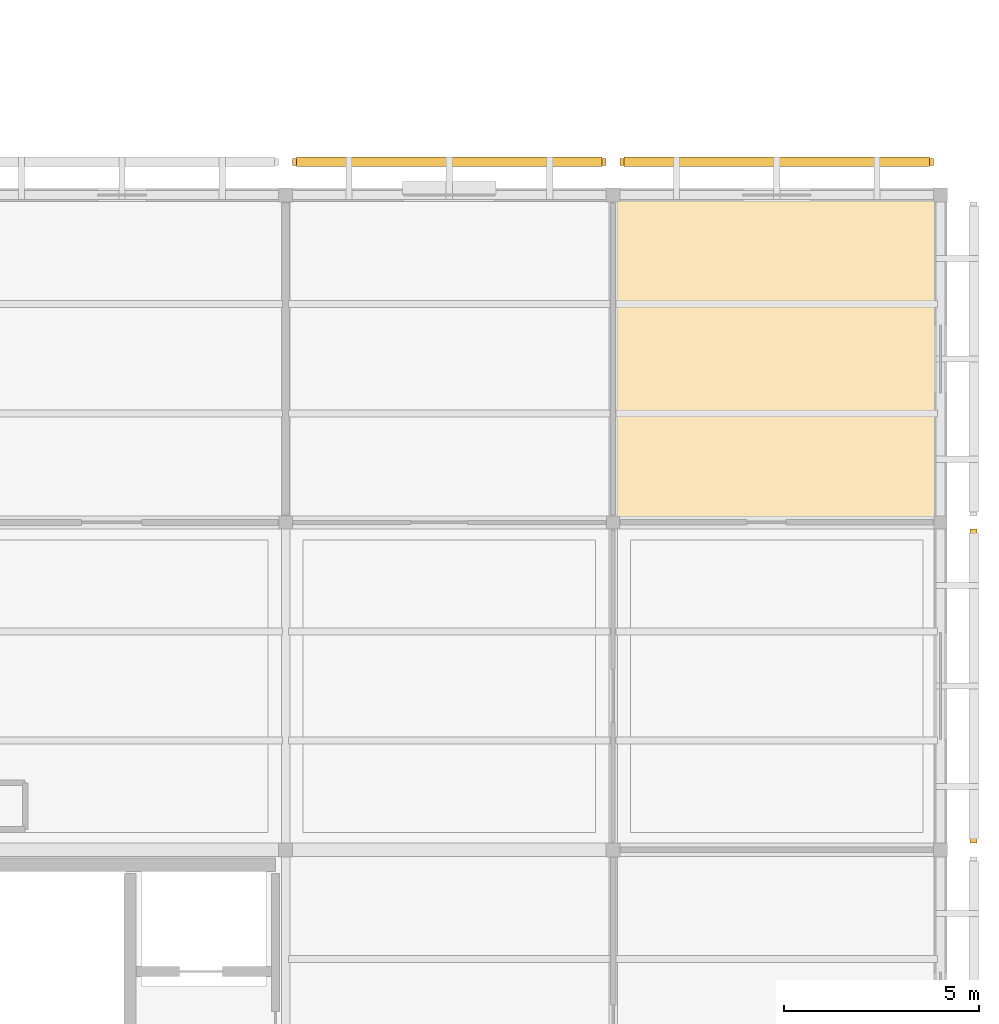
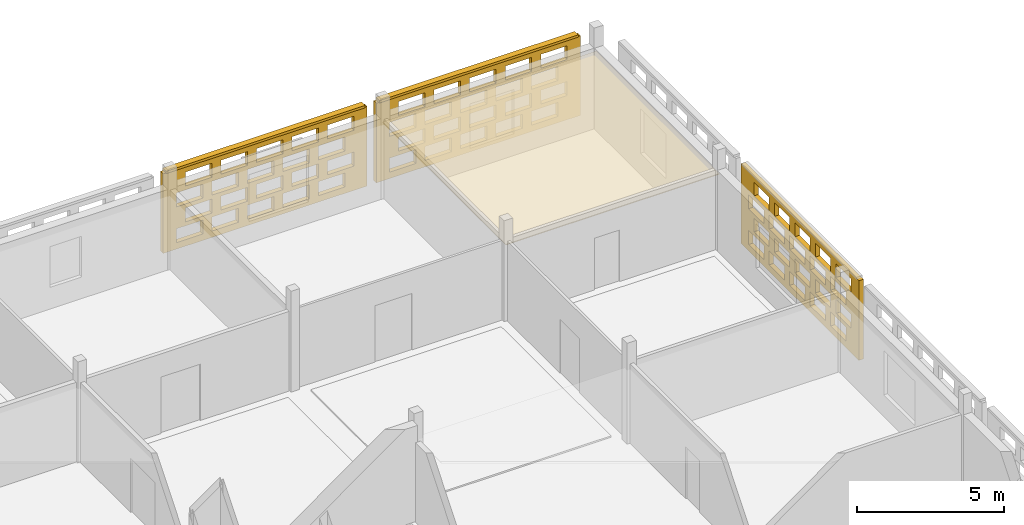
# One storey, part 102 of 103: 4 coverings, 2 shading devices, 60 openings.
"""IFC4 building model written with IfcOpenShell, lengths in metres."""

from ifc_helpers import new_model, si_unit, direction, frame, frame_2d, origin, origin_2d, place, context, subcontext, project, spatial, rectangle, extrude, material, layer, layer_set, type_object, element, save


model = new_model("IFC4")

# Units and contexts
model_context = context("Model", 3, precision=1e-05, world=origin(), true_north=direction((0.0, 1.0)))
body_context = subcontext(model_context, "Body", "Model", "MODEL_VIEW")
ifc_project = project(units=[si_unit("LENGTHUNIT", "METRE"), si_unit("AREAUNIT", "SQUARE_METRE"), si_unit("VOLUMEUNIT", "CUBIC_METRE"), si_unit("PLANEANGLEUNIT", "RADIAN"), si_unit("MASSUNIT", "GRAM", prefix="KILO")], contexts=[model_context])

# Site, building, storey
site_placement = place(None, origin())
site = spatial("IfcSite", under=ifc_project, at=site_placement, CompositionType="ELEMENT")
building_placement = place(site_placement, origin())
building = spatial("IfcBuilding", under=site, at=building_placement, Name="Varnapada Polytechnic", CompositionType="ELEMENT")
storey_placement = place(building_placement, frame((0.0, 0.0, 18.0)))
storey = spatial("IfcBuildingStorey", under=building, at=storey_placement, Name="L04", CompositionType="ELEMENT", Elevation=18.0)

# Covering
ifc_material_1 = material(Name="Cleanroom Laboratory Metal Pan Ceiling")
ifc_layer_1 = layer(ifc_material_1, 0.034912109375)
ifc_layer_set_1 = layer_set([ifc_layer_1], Name="Cleanroom Laboratory Metal Pan Ceiling")
covering_type_1 = type_object("IfcCoveringType", Name="Suspended Ceiling CLG-06", PredefinedType="CEILING", material=ifc_layer_set_1)
covering_1_placement = place(storey_placement, frame((172.199951171875, 113.39990234375, 3.03271484375), z_axis=(0.0, 0.0, 1.0), x_axis=(1.0, 0.0, 0.0)))
element("IfcCovering", 1, at=covering_1_placement, inside=storey, type_object=covering_type_1, Name="L04 suspended acoustic ceiling (21,14)", PredefinedType="CEILING", context=body_context, shape_type="SweptSolid", body=[
    extrude(rectangle(XDim=8.419921875, YDim=8.419921875, at=origin_2d()), origin(), (0.0, 0.0, 1.0), 0.034912109375),
])

# Covering, openings
ifc_material_2 = material(Name="Earth-toned architectural terracotta screen block", Category="masonry")
ifc_layer_2 = layer(ifc_material_2, 0.1201171875)
ifc_layer_set_2 = layer_set([ifc_layer_2], Name="Earth-toned architectural terracotta screen block")
covering_type_2 = type_object("IfcCoveringType", Name="Terracotta Screen Cladding CLD-01", PredefinedType="CLADDING", material=ifc_layer_set_2)
covering_2_placement = place(storey_placement, frame((159.780029296875, 118.449951171875, 0.0), z_axis=(0.0, 0.0, 1.0), x_axis=(1.0, 0.0, 0.0)))
covering_2 = element("IfcCovering", 2, at=covering_2_placement, inside=storey, type_object=covering_type_2, Name="L04 perforated terracotta block screen (52)", PredefinedType="CLADDING", context=body_context, shape_type="SweptSolid", body=[
    extrude(rectangle(XDim=8.0400390625, YDim=0.179931640625, at=frame_2d((4.02001953125, 0.0))), origin(), (0.0, 0.0, 1.0), 3.320068359375),
])
opening_1_placement = place(covering_2_placement, frame((0.52001953125, 0.0, 0.265625)))
element("IfcOpeningElement", 3, at=opening_1_placement, cuts=covering_2, Name="Screen perforation TBS-L04-051.1", PredefinedType="OPENING", context=body_context, shape_type="SweptSolid", body=[
    extrude(rectangle(XDim=1.0400390625, YDim=0.5810546875, at=frame_2d((0.52001953125, 0.29052734375))), frame((0.0, 0.099853515625, 0.0), z_axis=(0.0, -1.0, 0.0), x_axis=(1.0, 0.0, 0.0)), (0.0, 0.0, 1.0), 0.199951171875),
])
opening_2_placement = place(covering_2_placement, frame((1.919921875, 0.0, 0.265625)))
element("IfcOpeningElement", 4, at=opening_2_placement, cuts=covering_2, Name="Screen perforation TBS-L04-051.2", PredefinedType="OPENING", context=body_context, shape_type="SweptSolid", body=[
    extrude(rectangle(XDim=1.0400390625, YDim=0.5810546875, at=frame_2d((0.52001953125, 0.29052734375))), frame((0.0, 0.099853515625, 0.0), z_axis=(0.0, -1.0, 0.0), x_axis=(1.0, 0.0, 0.0)), (0.0, 0.0, 1.0), 0.199951171875),
])
opening_3_placement = place(covering_2_placement, frame((3.320068359375, 0.0, 0.265625)))
element("IfcOpeningElement", 5, at=opening_3_placement, cuts=covering_2, Name="Screen perforation TBS-L04-051.3", PredefinedType="OPENING", context=body_context, shape_type="SweptSolid", body=[
    extrude(rectangle(XDim=1.0400390625, YDim=0.5810546875, at=frame_2d((0.52001953125, 0.29052734375))), frame((0.0, 0.099853515625, 0.0), z_axis=(0.0, -1.0, 0.0), x_axis=(1.0, 0.0, 0.0)), (0.0, 0.0, 1.0), 0.199951171875),
])
opening_4_placement = place(covering_2_placement, frame((4.719970703125, 0.0, 0.265625)))
element("IfcOpeningElement", 6, at=opening_4_placement, cuts=covering_2, Name="Screen perforation TBS-L04-051.4", PredefinedType="OPENING", context=body_context, shape_type="SweptSolid", body=[
    extrude(rectangle(XDim=1.0400390625, YDim=0.5810546875, at=frame_2d((0.52001953125, 0.29052734375))), frame((0.0, 0.099853515625, 0.0), z_axis=(0.0, -1.0, 0.0), x_axis=(1.0, 0.0, 0.0)), (0.0, 0.0, 1.0), 0.199951171875),
])
opening_5_placement = place(covering_2_placement, frame((6.1201171875, 0.0, 0.265625)))
element("IfcOpeningElement", 7, at=opening_5_placement, cuts=covering_2, Name="Screen perforation TBS-L04-051.5", PredefinedType="OPENING", context=body_context, shape_type="SweptSolid", body=[
    extrude(rectangle(XDim=1.0400390625, YDim=0.5810546875, at=frame_2d((0.52001953125, 0.29052734375))), frame((0.0, 0.099853515625, 0.0), z_axis=(0.0, -1.0, 0.0), x_axis=(1.0, 0.0, 0.0)), (0.0, 0.0, 1.0), 0.199951171875),
])
opening_6_placement = place(covering_2_placement, frame((0.8798828125, 0.0, 1.0126953125)))
element("IfcOpeningElement", 8, at=opening_6_placement, cuts=covering_2, Name="Screen perforation TBS-L04-051.6", PredefinedType="OPENING", context=body_context, shape_type="SweptSolid", body=[
    extrude(rectangle(XDim=1.0400390625, YDim=0.5810546875, at=frame_2d((0.52001953125, 0.29052734375))), frame((0.0, 0.099853515625, 0.0), z_axis=(0.0, -1.0, 0.0), x_axis=(1.0, 0.0, 0.0)), (0.0, 0.0, 1.0), 0.199951171875),
])
opening_7_placement = place(covering_2_placement, frame((2.280029296875, 0.0, 1.0126953125)))
element("IfcOpeningElement", 9, at=opening_7_placement, cuts=covering_2, Name="Screen perforation TBS-L04-051.7", PredefinedType="OPENING", context=body_context, shape_type="SweptSolid", body=[
    extrude(rectangle(XDim=1.0400390625, YDim=0.5810546875, at=frame_2d((0.52001953125, 0.29052734375))), frame((0.0, 0.099853515625, 0.0), z_axis=(0.0, -1.0, 0.0), x_axis=(1.0, 0.0, 0.0)), (0.0, 0.0, 1.0), 0.199951171875),
])
opening_8_placement = place(covering_2_placement, frame((3.679931640625, 0.0, 1.0126953125)))
element("IfcOpeningElement", 10, at=opening_8_placement, cuts=covering_2, Name="Screen perforation TBS-L04-051.8", PredefinedType="OPENING", context=body_context, shape_type="SweptSolid", body=[
    extrude(rectangle(XDim=1.0400390625, YDim=0.5810546875, at=frame_2d((0.52001953125, 0.29052734375))), frame((0.0, 0.099853515625, 0.0), z_axis=(0.0, -1.0, 0.0), x_axis=(1.0, 0.0, 0.0)), (0.0, 0.0, 1.0), 0.199951171875),
])
opening_9_placement = place(covering_2_placement, frame((5.080078125, 0.0, 1.0126953125)))
element("IfcOpeningElement", 11, at=opening_9_placement, cuts=covering_2, Name="Screen perforation TBS-L04-051.9", PredefinedType="OPENING", context=body_context, shape_type="SweptSolid", body=[
    extrude(rectangle(XDim=1.0400390625, YDim=0.5810546875, at=frame_2d((0.52001953125, 0.29052734375))), frame((0.0, 0.099853515625, 0.0), z_axis=(0.0, -1.0, 0.0), x_axis=(1.0, 0.0, 0.0)), (0.0, 0.0, 1.0), 0.199951171875),
])
opening_10_placement = place(covering_2_placement, frame((6.47998046875, 0.0, 1.0126953125)))
element("IfcOpeningElement", 12, at=opening_10_placement, cuts=covering_2, Name="Screen perforation TBS-L04-051.10", PredefinedType="OPENING", context=body_context, shape_type="SweptSolid", body=[
    extrude(rectangle(XDim=1.0400390625, YDim=0.5810546875, at=frame_2d((0.52001953125, 0.29052734375))), frame((0.0, 0.099853515625, 0.0), z_axis=(0.0, -1.0, 0.0), x_axis=(1.0, 0.0, 0.0)), (0.0, 0.0, 1.0), 0.199951171875),
])
opening_11_placement = place(covering_2_placement, frame((0.52001953125, 0.0, 1.759521484375)))
element("IfcOpeningElement", 13, at=opening_11_placement, cuts=covering_2, Name="Screen perforation TBS-L04-051.11", PredefinedType="OPENING", context=body_context, shape_type="SweptSolid", body=[
    extrude(rectangle(XDim=1.0400390625, YDim=0.5810546875, at=frame_2d((0.52001953125, 0.29052734375))), frame((0.0, 0.099853515625, 0.0), z_axis=(0.0, -1.0, 0.0), x_axis=(1.0, 0.0, 0.0)), (0.0, 0.0, 1.0), 0.199951171875),
])
opening_12_placement = place(covering_2_placement, frame((1.919921875, 0.0, 1.759521484375)))
element("IfcOpeningElement", 14, at=opening_12_placement, cuts=covering_2, Name="Screen perforation TBS-L04-051.12", PredefinedType="OPENING", context=body_context, shape_type="SweptSolid", body=[
    extrude(rectangle(XDim=1.0400390625, YDim=0.5810546875, at=frame_2d((0.52001953125, 0.29052734375))), frame((0.0, 0.099853515625, 0.0), z_axis=(0.0, -1.0, 0.0), x_axis=(1.0, 0.0, 0.0)), (0.0, 0.0, 1.0), 0.199951171875),
])
opening_13_placement = place(covering_2_placement, frame((3.320068359375, 0.0, 1.759521484375)))
element("IfcOpeningElement", 15, at=opening_13_placement, cuts=covering_2, Name="Screen perforation TBS-L04-051.13", PredefinedType="OPENING", context=body_context, shape_type="SweptSolid", body=[
    extrude(rectangle(XDim=1.0400390625, YDim=0.5810546875, at=frame_2d((0.52001953125, 0.29052734375))), frame((0.0, 0.099853515625, 0.0), z_axis=(0.0, -1.0, 0.0), x_axis=(1.0, 0.0, 0.0)), (0.0, 0.0, 1.0), 0.199951171875),
])
opening_14_placement = place(covering_2_placement, frame((4.719970703125, 0.0, 1.759521484375)))
element("IfcOpeningElement", 16, at=opening_14_placement, cuts=covering_2, Name="Screen perforation TBS-L04-051.14", PredefinedType="OPENING", context=body_context, shape_type="SweptSolid", body=[
    extrude(rectangle(XDim=1.0400390625, YDim=0.5810546875, at=frame_2d((0.52001953125, 0.29052734375))), frame((0.0, 0.099853515625, 0.0), z_axis=(0.0, -1.0, 0.0), x_axis=(1.0, 0.0, 0.0)), (0.0, 0.0, 1.0), 0.199951171875),
])
opening_15_placement = place(covering_2_placement, frame((6.1201171875, 0.0, 1.759521484375)))
element("IfcOpeningElement", 17, at=opening_15_placement, cuts=covering_2, Name="Screen perforation TBS-L04-051.15", PredefinedType="OPENING", context=body_context, shape_type="SweptSolid", body=[
    extrude(rectangle(XDim=1.0400390625, YDim=0.5810546875, at=frame_2d((0.52001953125, 0.29052734375))), frame((0.0, 0.099853515625, 0.0), z_axis=(0.0, -1.0, 0.0), x_axis=(1.0, 0.0, 0.0)), (0.0, 0.0, 1.0), 0.199951171875),
])
opening_16_placement = place(covering_2_placement, frame((0.8798828125, 0.0, 2.506591796875)))
element("IfcOpeningElement", 18, at=opening_16_placement, cuts=covering_2, Name="Screen perforation TBS-L04-051.16", PredefinedType="OPENING", context=body_context, shape_type="SweptSolid", body=[
    extrude(rectangle(XDim=1.0400390625, YDim=0.5810546875, at=frame_2d((0.52001953125, 0.29052734375))), frame((0.0, 0.099853515625, 0.0), z_axis=(0.0, -1.0, 0.0), x_axis=(1.0, 0.0, 0.0)), (0.0, 0.0, 1.0), 0.199951171875),
])
opening_17_placement = place(covering_2_placement, frame((2.280029296875, 0.0, 2.506591796875)))
element("IfcOpeningElement", 19, at=opening_17_placement, cuts=covering_2, Name="Screen perforation TBS-L04-051.17", PredefinedType="OPENING", context=body_context, shape_type="SweptSolid", body=[
    extrude(rectangle(XDim=1.0400390625, YDim=0.5810546875, at=frame_2d((0.52001953125, 0.29052734375))), frame((0.0, 0.099853515625, 0.0), z_axis=(0.0, -1.0, 0.0), x_axis=(1.0, 0.0, 0.0)), (0.0, 0.0, 1.0), 0.199951171875),
])
opening_18_placement = place(covering_2_placement, frame((3.679931640625, 0.0, 2.506591796875)))
element("IfcOpeningElement", 20, at=opening_18_placement, cuts=covering_2, Name="Screen perforation TBS-L04-051.18", PredefinedType="OPENING", context=body_context, shape_type="SweptSolid", body=[
    extrude(rectangle(XDim=1.0400390625, YDim=0.5810546875, at=frame_2d((0.52001953125, 0.29052734375))), frame((0.0, 0.099853515625, 0.0), z_axis=(0.0, -1.0, 0.0), x_axis=(1.0, 0.0, 0.0)), (0.0, 0.0, 1.0), 0.199951171875),
])
opening_19_placement = place(covering_2_placement, frame((5.080078125, 0.0, 2.506591796875)))
element("IfcOpeningElement", 21, at=opening_19_placement, cuts=covering_2, Name="Screen perforation TBS-L04-051.19", PredefinedType="OPENING", context=body_context, shape_type="SweptSolid", body=[
    extrude(rectangle(XDim=1.0400390625, YDim=0.5810546875, at=frame_2d((0.52001953125, 0.29052734375))), frame((0.0, 0.099853515625, 0.0), z_axis=(0.0, -1.0, 0.0), x_axis=(1.0, 0.0, 0.0)), (0.0, 0.0, 1.0), 0.199951171875),
])
opening_20_placement = place(covering_2_placement, frame((6.47998046875, 0.0, 2.506591796875)))
element("IfcOpeningElement", 22, at=opening_20_placement, cuts=covering_2, Name="Screen perforation TBS-L04-051.20", PredefinedType="OPENING", context=body_context, shape_type="SweptSolid", body=[
    extrude(rectangle(XDim=1.0400390625, YDim=0.5810546875, at=frame_2d((0.52001953125, 0.29052734375))), frame((0.0, 0.099853515625, 0.0), z_axis=(0.0, -1.0, 0.0), x_axis=(1.0, 0.0, 0.0)), (0.0, 0.0, 1.0), 0.199951171875),
])

covering_3_placement = place(storey_placement, frame((177.25, 109.030029296875, 0.0), z_axis=(0.0, 0.0, 1.0), x_axis=(0.0, -1.0, 0.0)))
covering_3 = element("IfcCovering", 23, at=covering_3_placement, inside=storey, type_object=covering_type_2, Name="L04 perforated terracotta block screen (58)", PredefinedType="CLADDING", context=body_context, shape_type="SweptSolid", body=[
    extrude(rectangle(XDim=8.050048828125, YDim=0.179931640625, at=frame_2d((4.02490234375, 0.0))), origin(), (0.0, 0.0, 1.0), 3.320068359375),
])
opening_21_placement = place(covering_3_placement, frame((0.52490234375, 0.0, 0.265625)))
element("IfcOpeningElement", 24, at=opening_21_placement, cuts=covering_3, Name="Screen perforation TBS-L04-057.1", PredefinedType="OPENING", context=body_context, shape_type="SweptSolid", body=[
    extrude(rectangle(XDim=1.0400390625, YDim=0.5810546875, at=frame_2d((0.52001953125, 0.29052734375))), frame((0.0, 0.099853515625, 0.0), z_axis=(0.0, -1.0, 0.0), x_axis=(1.0, 0.0, 0.0)), (0.0, 0.0, 1.0), 0.199951171875),
])
opening_22_placement = place(covering_3_placement, frame((1.925048828125, 0.0, 0.265625)))
element("IfcOpeningElement", 25, at=opening_22_placement, cuts=covering_3, Name="Screen perforation TBS-L04-057.2", PredefinedType="OPENING", context=body_context, shape_type="SweptSolid", body=[
    extrude(rectangle(XDim=1.0400390625, YDim=0.5810546875, at=frame_2d((0.52001953125, 0.29052734375))), frame((0.0, 0.099853515625, 0.0), z_axis=(0.0, -1.0, 0.0), x_axis=(1.0, 0.0, 0.0)), (0.0, 0.0, 1.0), 0.199951171875),
])
opening_23_placement = place(covering_3_placement, frame((3.324951171875, 0.0, 0.265625)))
element("IfcOpeningElement", 26, at=opening_23_placement, cuts=covering_3, Name="Screen perforation TBS-L04-057.3", PredefinedType="OPENING", context=body_context, shape_type="SweptSolid", body=[
    extrude(rectangle(XDim=1.0400390625, YDim=0.5810546875, at=frame_2d((0.52001953125, 0.29052734375))), frame((0.0, 0.099853515625, 0.0), z_axis=(0.0, -1.0, 0.0), x_axis=(1.0, 0.0, 0.0)), (0.0, 0.0, 1.0), 0.199951171875),
])
opening_24_placement = place(covering_3_placement, frame((4.72509765625, 0.0, 0.265625)))
element("IfcOpeningElement", 27, at=opening_24_placement, cuts=covering_3, Name="Screen perforation TBS-L04-057.4", PredefinedType="OPENING", context=body_context, shape_type="SweptSolid", body=[
    extrude(rectangle(XDim=1.0400390625, YDim=0.5810546875, at=frame_2d((0.52001953125, 0.29052734375))), frame((0.0, 0.099853515625, 0.0), z_axis=(0.0, -1.0, 0.0), x_axis=(1.0, 0.0, 0.0)), (0.0, 0.0, 1.0), 0.199951171875),
])
opening_25_placement = place(covering_3_placement, frame((6.125, 0.0, 0.265625)))
element("IfcOpeningElement", 28, at=opening_25_placement, cuts=covering_3, Name="Screen perforation TBS-L04-057.5", PredefinedType="OPENING", context=body_context, shape_type="SweptSolid", body=[
    extrude(rectangle(XDim=1.0400390625, YDim=0.5810546875, at=frame_2d((0.52001953125, 0.29052734375))), frame((0.0, 0.099853515625, 0.0), z_axis=(0.0, -1.0, 0.0), x_axis=(1.0, 0.0, 0.0)), (0.0, 0.0, 1.0), 0.199951171875),
])
opening_26_placement = place(covering_3_placement, frame((0.885009765625, 0.0, 1.0126953125)))
element("IfcOpeningElement", 29, at=opening_26_placement, cuts=covering_3, Name="Screen perforation TBS-L04-057.6", PredefinedType="OPENING", context=body_context, shape_type="SweptSolid", body=[
    extrude(rectangle(XDim=1.0400390625, YDim=0.5810546875, at=frame_2d((0.52001953125, 0.29052734375))), frame((0.0, 0.099853515625, 0.0), z_axis=(0.0, -1.0, 0.0), x_axis=(1.0, 0.0, 0.0)), (0.0, 0.0, 1.0), 0.199951171875),
])
opening_27_placement = place(covering_3_placement, frame((2.284912109375, 0.0, 1.0126953125)))
element("IfcOpeningElement", 30, at=opening_27_placement, cuts=covering_3, Name="Screen perforation TBS-L04-057.7", PredefinedType="OPENING", context=body_context, shape_type="SweptSolid", body=[
    extrude(rectangle(XDim=1.0400390625, YDim=0.5810546875, at=frame_2d((0.52001953125, 0.29052734375))), frame((0.0, 0.099853515625, 0.0), z_axis=(0.0, -1.0, 0.0), x_axis=(1.0, 0.0, 0.0)), (0.0, 0.0, 1.0), 0.199951171875),
])
opening_28_placement = place(covering_3_placement, frame((3.68505859375, 0.0, 1.0126953125)))
element("IfcOpeningElement", 31, at=opening_28_placement, cuts=covering_3, Name="Screen perforation TBS-L04-057.8", PredefinedType="OPENING", context=body_context, shape_type="SweptSolid", body=[
    extrude(rectangle(XDim=1.0400390625, YDim=0.5810546875, at=frame_2d((0.52001953125, 0.29052734375))), frame((0.0, 0.099853515625, 0.0), z_axis=(0.0, -1.0, 0.0), x_axis=(1.0, 0.0, 0.0)), (0.0, 0.0, 1.0), 0.199951171875),
])
opening_29_placement = place(covering_3_placement, frame((5.0849609375, 0.0, 1.0126953125)))
element("IfcOpeningElement", 32, at=opening_29_placement, cuts=covering_3, Name="Screen perforation TBS-L04-057.9", PredefinedType="OPENING", context=body_context, shape_type="SweptSolid", body=[
    extrude(rectangle(XDim=1.0400390625, YDim=0.5810546875, at=frame_2d((0.52001953125, 0.29052734375))), frame((0.0, 0.099853515625, 0.0), z_axis=(0.0, -1.0, 0.0), x_axis=(1.0, 0.0, 0.0)), (0.0, 0.0, 1.0), 0.199951171875),
])
opening_30_placement = place(covering_3_placement, frame((6.485107421875, 0.0, 1.0126953125)))
element("IfcOpeningElement", 33, at=opening_30_placement, cuts=covering_3, Name="Screen perforation TBS-L04-057.10", PredefinedType="OPENING", context=body_context, shape_type="SweptSolid", body=[
    extrude(rectangle(XDim=1.0400390625, YDim=0.5810546875, at=frame_2d((0.52001953125, 0.29052734375))), frame((0.0, 0.099853515625, 0.0), z_axis=(0.0, -1.0, 0.0), x_axis=(1.0, 0.0, 0.0)), (0.0, 0.0, 1.0), 0.199951171875),
])
opening_31_placement = place(covering_3_placement, frame((0.52490234375, 0.0, 1.759521484375)))
element("IfcOpeningElement", 34, at=opening_31_placement, cuts=covering_3, Name="Screen perforation TBS-L04-057.11", PredefinedType="OPENING", context=body_context, shape_type="SweptSolid", body=[
    extrude(rectangle(XDim=1.0400390625, YDim=0.5810546875, at=frame_2d((0.52001953125, 0.29052734375))), frame((0.0, 0.099853515625, 0.0), z_axis=(0.0, -1.0, 0.0), x_axis=(1.0, 0.0, 0.0)), (0.0, 0.0, 1.0), 0.199951171875),
])
opening_32_placement = place(covering_3_placement, frame((1.925048828125, 0.0, 1.759521484375)))
element("IfcOpeningElement", 35, at=opening_32_placement, cuts=covering_3, Name="Screen perforation TBS-L04-057.12", PredefinedType="OPENING", context=body_context, shape_type="SweptSolid", body=[
    extrude(rectangle(XDim=1.0400390625, YDim=0.5810546875, at=frame_2d((0.52001953125, 0.29052734375))), frame((0.0, 0.099853515625, 0.0), z_axis=(0.0, -1.0, 0.0), x_axis=(1.0, 0.0, 0.0)), (0.0, 0.0, 1.0), 0.199951171875),
])
opening_33_placement = place(covering_3_placement, frame((3.324951171875, 0.0, 1.759521484375)))
element("IfcOpeningElement", 36, at=opening_33_placement, cuts=covering_3, Name="Screen perforation TBS-L04-057.13", PredefinedType="OPENING", context=body_context, shape_type="SweptSolid", body=[
    extrude(rectangle(XDim=1.0400390625, YDim=0.5810546875, at=frame_2d((0.52001953125, 0.29052734375))), frame((0.0, 0.099853515625, 0.0), z_axis=(0.0, -1.0, 0.0), x_axis=(1.0, 0.0, 0.0)), (0.0, 0.0, 1.0), 0.199951171875),
])
opening_34_placement = place(covering_3_placement, frame((4.72509765625, 0.0, 1.759521484375)))
element("IfcOpeningElement", 37, at=opening_34_placement, cuts=covering_3, Name="Screen perforation TBS-L04-057.14", PredefinedType="OPENING", context=body_context, shape_type="SweptSolid", body=[
    extrude(rectangle(XDim=1.0400390625, YDim=0.5810546875, at=frame_2d((0.52001953125, 0.29052734375))), frame((0.0, 0.099853515625, 0.0), z_axis=(0.0, -1.0, 0.0), x_axis=(1.0, 0.0, 0.0)), (0.0, 0.0, 1.0), 0.199951171875),
])
opening_35_placement = place(covering_3_placement, frame((6.125, 0.0, 1.759521484375)))
element("IfcOpeningElement", 38, at=opening_35_placement, cuts=covering_3, Name="Screen perforation TBS-L04-057.15", PredefinedType="OPENING", context=body_context, shape_type="SweptSolid", body=[
    extrude(rectangle(XDim=1.0400390625, YDim=0.5810546875, at=frame_2d((0.52001953125, 0.29052734375))), frame((0.0, 0.099853515625, 0.0), z_axis=(0.0, -1.0, 0.0), x_axis=(1.0, 0.0, 0.0)), (0.0, 0.0, 1.0), 0.199951171875),
])
opening_36_placement = place(covering_3_placement, frame((0.885009765625, 0.0, 2.506591796875)))
element("IfcOpeningElement", 39, at=opening_36_placement, cuts=covering_3, Name="Screen perforation TBS-L04-057.16", PredefinedType="OPENING", context=body_context, shape_type="SweptSolid", body=[
    extrude(rectangle(XDim=1.0400390625, YDim=0.5810546875, at=frame_2d((0.52001953125, 0.29052734375))), frame((0.0, 0.099853515625, 0.0), z_axis=(0.0, -1.0, 0.0), x_axis=(1.0, 0.0, 0.0)), (0.0, 0.0, 1.0), 0.199951171875),
])
opening_37_placement = place(covering_3_placement, frame((2.284912109375, 0.0, 2.506591796875)))
element("IfcOpeningElement", 40, at=opening_37_placement, cuts=covering_3, Name="Screen perforation TBS-L04-057.17", PredefinedType="OPENING", context=body_context, shape_type="SweptSolid", body=[
    extrude(rectangle(XDim=1.0400390625, YDim=0.5810546875, at=frame_2d((0.52001953125, 0.29052734375))), frame((0.0, 0.099853515625, 0.0), z_axis=(0.0, -1.0, 0.0), x_axis=(1.0, 0.0, 0.0)), (0.0, 0.0, 1.0), 0.199951171875),
])
opening_38_placement = place(covering_3_placement, frame((3.68505859375, 0.0, 2.506591796875)))
element("IfcOpeningElement", 41, at=opening_38_placement, cuts=covering_3, Name="Screen perforation TBS-L04-057.18", PredefinedType="OPENING", context=body_context, shape_type="SweptSolid", body=[
    extrude(rectangle(XDim=1.0400390625, YDim=0.5810546875, at=frame_2d((0.52001953125, 0.29052734375))), frame((0.0, 0.099853515625, 0.0), z_axis=(0.0, -1.0, 0.0), x_axis=(1.0, 0.0, 0.0)), (0.0, 0.0, 1.0), 0.199951171875),
])
opening_39_placement = place(covering_3_placement, frame((5.0849609375, 0.0, 2.506591796875)))
element("IfcOpeningElement", 42, at=opening_39_placement, cuts=covering_3, Name="Screen perforation TBS-L04-057.19", PredefinedType="OPENING", context=body_context, shape_type="SweptSolid", body=[
    extrude(rectangle(XDim=1.0400390625, YDim=0.5810546875, at=frame_2d((0.52001953125, 0.29052734375))), frame((0.0, 0.099853515625, 0.0), z_axis=(0.0, -1.0, 0.0), x_axis=(1.0, 0.0, 0.0)), (0.0, 0.0, 1.0), 0.199951171875),
])
opening_40_placement = place(covering_3_placement, frame((6.485107421875, 0.0, 2.506591796875)))
element("IfcOpeningElement", 43, at=opening_40_placement, cuts=covering_3, Name="Screen perforation TBS-L04-057.20", PredefinedType="OPENING", context=body_context, shape_type="SweptSolid", body=[
    extrude(rectangle(XDim=1.0400390625, YDim=0.5810546875, at=frame_2d((0.52001953125, 0.29052734375))), frame((0.0, 0.099853515625, 0.0), z_axis=(0.0, -1.0, 0.0), x_axis=(1.0, 0.0, 0.0)), (0.0, 0.0, 1.0), 0.199951171875),
])

covering_4_placement = place(storey_placement, frame((168.179931640625, 118.449951171875, 0.0), z_axis=(0.0, 0.0, 1.0), x_axis=(1.0, 0.0, 0.0)))
covering_4 = element("IfcCovering", 44, at=covering_4_placement, inside=storey, type_object=covering_type_2, Name="L04 perforated terracotta block screen (59)", PredefinedType="CLADDING", context=body_context, shape_type="SweptSolid", body=[
    extrude(rectangle(XDim=8.0400390625, YDim=0.179931640625, at=frame_2d((4.02001953125, 0.0))), origin(), (0.0, 0.0, 1.0), 3.320068359375),
])
opening_41_placement = place(covering_4_placement, frame((0.52001953125, 0.0, 0.265625)))
element("IfcOpeningElement", 45, at=opening_41_placement, cuts=covering_4, Name="Screen perforation TBS-L04-058.1", PredefinedType="OPENING", context=body_context, shape_type="SweptSolid", body=[
    extrude(rectangle(XDim=1.0400390625, YDim=0.5810546875, at=frame_2d((0.52001953125, 0.29052734375))), frame((0.0, 0.099853515625, 0.0), z_axis=(0.0, -1.0, 0.0), x_axis=(1.0, 0.0, 0.0)), (0.0, 0.0, 1.0), 0.199951171875),
])
opening_42_placement = place(covering_4_placement, frame((1.919921875, 0.0, 0.265625)))
element("IfcOpeningElement", 46, at=opening_42_placement, cuts=covering_4, Name="Screen perforation TBS-L04-058.2", PredefinedType="OPENING", context=body_context, shape_type="SweptSolid", body=[
    extrude(rectangle(XDim=1.0400390625, YDim=0.5810546875, at=frame_2d((0.52001953125, 0.29052734375))), frame((0.0, 0.099853515625, 0.0), z_axis=(0.0, -1.0, 0.0), x_axis=(1.0, 0.0, 0.0)), (0.0, 0.0, 1.0), 0.199951171875),
])
opening_43_placement = place(covering_4_placement, frame((3.320068359375, 0.0, 0.265625)))
element("IfcOpeningElement", 47, at=opening_43_placement, cuts=covering_4, Name="Screen perforation TBS-L04-058.3", PredefinedType="OPENING", context=body_context, shape_type="SweptSolid", body=[
    extrude(rectangle(XDim=1.0400390625, YDim=0.5810546875, at=frame_2d((0.52001953125, 0.29052734375))), frame((0.0, 0.099853515625, 0.0), z_axis=(0.0, -1.0, 0.0), x_axis=(1.0, 0.0, 0.0)), (0.0, 0.0, 1.0), 0.199951171875),
])
opening_44_placement = place(covering_4_placement, frame((4.719970703125, 0.0, 0.265625)))
element("IfcOpeningElement", 48, at=opening_44_placement, cuts=covering_4, Name="Screen perforation TBS-L04-058.4", PredefinedType="OPENING", context=body_context, shape_type="SweptSolid", body=[
    extrude(rectangle(XDim=1.0400390625, YDim=0.5810546875, at=frame_2d((0.52001953125, 0.29052734375))), frame((0.0, 0.099853515625, 0.0), z_axis=(0.0, -1.0, 0.0), x_axis=(1.0, 0.0, 0.0)), (0.0, 0.0, 1.0), 0.199951171875),
])
opening_45_placement = place(covering_4_placement, frame((6.1201171875, 0.0, 0.265625)))
element("IfcOpeningElement", 49, at=opening_45_placement, cuts=covering_4, Name="Screen perforation TBS-L04-058.5", PredefinedType="OPENING", context=body_context, shape_type="SweptSolid", body=[
    extrude(rectangle(XDim=1.0400390625, YDim=0.5810546875, at=frame_2d((0.52001953125, 0.29052734375))), frame((0.0, 0.099853515625, 0.0), z_axis=(0.0, -1.0, 0.0), x_axis=(1.0, 0.0, 0.0)), (0.0, 0.0, 1.0), 0.199951171875),
])
opening_46_placement = place(covering_4_placement, frame((0.8798828125, 0.0, 1.0126953125)))
element("IfcOpeningElement", 50, at=opening_46_placement, cuts=covering_4, Name="Screen perforation TBS-L04-058.6", PredefinedType="OPENING", context=body_context, shape_type="SweptSolid", body=[
    extrude(rectangle(XDim=1.0400390625, YDim=0.5810546875, at=frame_2d((0.52001953125, 0.29052734375))), frame((0.0, 0.099853515625, 0.0), z_axis=(0.0, -1.0, 0.0), x_axis=(1.0, 0.0, 0.0)), (0.0, 0.0, 1.0), 0.199951171875),
])
opening_47_placement = place(covering_4_placement, frame((2.280029296875, 0.0, 1.0126953125)))
element("IfcOpeningElement", 51, at=opening_47_placement, cuts=covering_4, Name="Screen perforation TBS-L04-058.7", PredefinedType="OPENING", context=body_context, shape_type="SweptSolid", body=[
    extrude(rectangle(XDim=1.0400390625, YDim=0.5810546875, at=frame_2d((0.52001953125, 0.29052734375))), frame((0.0, 0.099853515625, 0.0), z_axis=(0.0, -1.0, 0.0), x_axis=(1.0, 0.0, 0.0)), (0.0, 0.0, 1.0), 0.199951171875),
])
opening_48_placement = place(covering_4_placement, frame((3.679931640625, 0.0, 1.0126953125)))
element("IfcOpeningElement", 52, at=opening_48_placement, cuts=covering_4, Name="Screen perforation TBS-L04-058.8", PredefinedType="OPENING", context=body_context, shape_type="SweptSolid", body=[
    extrude(rectangle(XDim=1.0400390625, YDim=0.5810546875, at=frame_2d((0.52001953125, 0.29052734375))), frame((0.0, 0.099853515625, 0.0), z_axis=(0.0, -1.0, 0.0), x_axis=(1.0, 0.0, 0.0)), (0.0, 0.0, 1.0), 0.199951171875),
])
opening_49_placement = place(covering_4_placement, frame((5.080078125, 0.0, 1.0126953125)))
element("IfcOpeningElement", 53, at=opening_49_placement, cuts=covering_4, Name="Screen perforation TBS-L04-058.9", PredefinedType="OPENING", context=body_context, shape_type="SweptSolid", body=[
    extrude(rectangle(XDim=1.0400390625, YDim=0.5810546875, at=frame_2d((0.52001953125, 0.29052734375))), frame((0.0, 0.099853515625, 0.0), z_axis=(0.0, -1.0, 0.0), x_axis=(1.0, 0.0, 0.0)), (0.0, 0.0, 1.0), 0.199951171875),
])
opening_50_placement = place(covering_4_placement, frame((6.47998046875, 0.0, 1.0126953125)))
element("IfcOpeningElement", 54, at=opening_50_placement, cuts=covering_4, Name="Screen perforation TBS-L04-058.10", PredefinedType="OPENING", context=body_context, shape_type="SweptSolid", body=[
    extrude(rectangle(XDim=1.0400390625, YDim=0.5810546875, at=frame_2d((0.52001953125, 0.29052734375))), frame((0.0, 0.099853515625, 0.0), z_axis=(0.0, -1.0, 0.0), x_axis=(1.0, 0.0, 0.0)), (0.0, 0.0, 1.0), 0.199951171875),
])
opening_51_placement = place(covering_4_placement, frame((0.52001953125, 0.0, 1.759521484375)))
element("IfcOpeningElement", 55, at=opening_51_placement, cuts=covering_4, Name="Screen perforation TBS-L04-058.11", PredefinedType="OPENING", context=body_context, shape_type="SweptSolid", body=[
    extrude(rectangle(XDim=1.0400390625, YDim=0.5810546875, at=frame_2d((0.52001953125, 0.29052734375))), frame((0.0, 0.099853515625, 0.0), z_axis=(0.0, -1.0, 0.0), x_axis=(1.0, 0.0, 0.0)), (0.0, 0.0, 1.0), 0.199951171875),
])
opening_52_placement = place(covering_4_placement, frame((1.919921875, 0.0, 1.759521484375)))
element("IfcOpeningElement", 56, at=opening_52_placement, cuts=covering_4, Name="Screen perforation TBS-L04-058.12", PredefinedType="OPENING", context=body_context, shape_type="SweptSolid", body=[
    extrude(rectangle(XDim=1.0400390625, YDim=0.5810546875, at=frame_2d((0.52001953125, 0.29052734375))), frame((0.0, 0.099853515625, 0.0), z_axis=(0.0, -1.0, 0.0), x_axis=(1.0, 0.0, 0.0)), (0.0, 0.0, 1.0), 0.199951171875),
])
opening_53_placement = place(covering_4_placement, frame((3.320068359375, 0.0, 1.759521484375)))
element("IfcOpeningElement", 57, at=opening_53_placement, cuts=covering_4, Name="Screen perforation TBS-L04-058.13", PredefinedType="OPENING", context=body_context, shape_type="SweptSolid", body=[
    extrude(rectangle(XDim=1.0400390625, YDim=0.5810546875, at=frame_2d((0.52001953125, 0.29052734375))), frame((0.0, 0.099853515625, 0.0), z_axis=(0.0, -1.0, 0.0), x_axis=(1.0, 0.0, 0.0)), (0.0, 0.0, 1.0), 0.199951171875),
])
opening_54_placement = place(covering_4_placement, frame((4.719970703125, 0.0, 1.759521484375)))
element("IfcOpeningElement", 58, at=opening_54_placement, cuts=covering_4, Name="Screen perforation TBS-L04-058.14", PredefinedType="OPENING", context=body_context, shape_type="SweptSolid", body=[
    extrude(rectangle(XDim=1.0400390625, YDim=0.5810546875, at=frame_2d((0.52001953125, 0.29052734375))), frame((0.0, 0.099853515625, 0.0), z_axis=(0.0, -1.0, 0.0), x_axis=(1.0, 0.0, 0.0)), (0.0, 0.0, 1.0), 0.199951171875),
])
opening_55_placement = place(covering_4_placement, frame((6.1201171875, 0.0, 1.759521484375)))
element("IfcOpeningElement", 59, at=opening_55_placement, cuts=covering_4, Name="Screen perforation TBS-L04-058.15", PredefinedType="OPENING", context=body_context, shape_type="SweptSolid", body=[
    extrude(rectangle(XDim=1.0400390625, YDim=0.5810546875, at=frame_2d((0.52001953125, 0.29052734375))), frame((0.0, 0.099853515625, 0.0), z_axis=(0.0, -1.0, 0.0), x_axis=(1.0, 0.0, 0.0)), (0.0, 0.0, 1.0), 0.199951171875),
])
opening_56_placement = place(covering_4_placement, frame((0.8798828125, 0.0, 2.506591796875)))
element("IfcOpeningElement", 60, at=opening_56_placement, cuts=covering_4, Name="Screen perforation TBS-L04-058.16", PredefinedType="OPENING", context=body_context, shape_type="SweptSolid", body=[
    extrude(rectangle(XDim=1.0400390625, YDim=0.5810546875, at=frame_2d((0.52001953125, 0.29052734375))), frame((0.0, 0.099853515625, 0.0), z_axis=(0.0, -1.0, 0.0), x_axis=(1.0, 0.0, 0.0)), (0.0, 0.0, 1.0), 0.199951171875),
])
opening_57_placement = place(covering_4_placement, frame((2.280029296875, 0.0, 2.506591796875)))
element("IfcOpeningElement", 61, at=opening_57_placement, cuts=covering_4, Name="Screen perforation TBS-L04-058.17", PredefinedType="OPENING", context=body_context, shape_type="SweptSolid", body=[
    extrude(rectangle(XDim=1.0400390625, YDim=0.5810546875, at=frame_2d((0.52001953125, 0.29052734375))), frame((0.0, 0.099853515625, 0.0), z_axis=(0.0, -1.0, 0.0), x_axis=(1.0, 0.0, 0.0)), (0.0, 0.0, 1.0), 0.199951171875),
])
opening_58_placement = place(covering_4_placement, frame((3.679931640625, 0.0, 2.506591796875)))
element("IfcOpeningElement", 62, at=opening_58_placement, cuts=covering_4, Name="Screen perforation TBS-L04-058.18", PredefinedType="OPENING", context=body_context, shape_type="SweptSolid", body=[
    extrude(rectangle(XDim=1.0400390625, YDim=0.5810546875, at=frame_2d((0.52001953125, 0.29052734375))), frame((0.0, 0.099853515625, 0.0), z_axis=(0.0, -1.0, 0.0), x_axis=(1.0, 0.0, 0.0)), (0.0, 0.0, 1.0), 0.199951171875),
])
opening_59_placement = place(covering_4_placement, frame((5.080078125, 0.0, 2.506591796875)))
element("IfcOpeningElement", 63, at=opening_59_placement, cuts=covering_4, Name="Screen perforation TBS-L04-058.19", PredefinedType="OPENING", context=body_context, shape_type="SweptSolid", body=[
    extrude(rectangle(XDim=1.0400390625, YDim=0.5810546875, at=frame_2d((0.52001953125, 0.29052734375))), frame((0.0, 0.099853515625, 0.0), z_axis=(0.0, -1.0, 0.0), x_axis=(1.0, 0.0, 0.0)), (0.0, 0.0, 1.0), 0.199951171875),
])
opening_60_placement = place(covering_4_placement, frame((6.47998046875, 0.0, 2.506591796875)))
element("IfcOpeningElement", 64, at=opening_60_placement, cuts=covering_4, Name="Screen perforation TBS-L04-058.20", PredefinedType="OPENING", context=body_context, shape_type="SweptSolid", body=[
    extrude(rectangle(XDim=1.0400390625, YDim=0.5810546875, at=frame_2d((0.52001953125, 0.29052734375))), frame((0.0, 0.099853515625, 0.0), z_axis=(0.0, -1.0, 0.0), x_axis=(1.0, 0.0, 0.0)), (0.0, 0.0, 1.0), 0.199951171875),
])

# Shading devices
ifc_layer_3 = layer(ifc_material_2, 0.179931640625)
ifc_layer_set_3 = layer_set([ifc_layer_3], Name="Earth-toned architectural terracotta screen block")
shading_device_type = type_object("IfcShadingDeviceType", Name="Terracotta Screen SCR-01", PredefinedType="USERDEFINED", material=ifc_layer_set_3)
for number, where, z_axis, x_axis, name in (
    (65, (163.800048828125, 118.449951171875, 3.31005859375), (0.0, 0.0, 1.0), (1.0, 0.0, 0.0), "L04 perforated terracotta screen hood 468"),
    (66, (172.199951171875, 118.449951171875, 3.31005859375), (0.0, 0.0, 1.0), (1.0, 0.0, 0.0), "L04 perforated terracotta screen hood 474"),
):
    element("IfcShadingDevice", number, at=place(storey_placement, frame(where, z_axis=z_axis, x_axis=x_axis)), inside=storey, type_object=shading_device_type, Name=name, ObjectType="SCREEN", PredefinedType="USERDEFINED", context=body_context, shape_type="SweptSolid", body=[
        extrude(rectangle(XDim=7.840087890625, YDim=0.239990234375, at=origin_2d()), origin(), (0.0, 0.0, 1.0), 0.10009765625),
    ])

save(model, "model.ifc")
